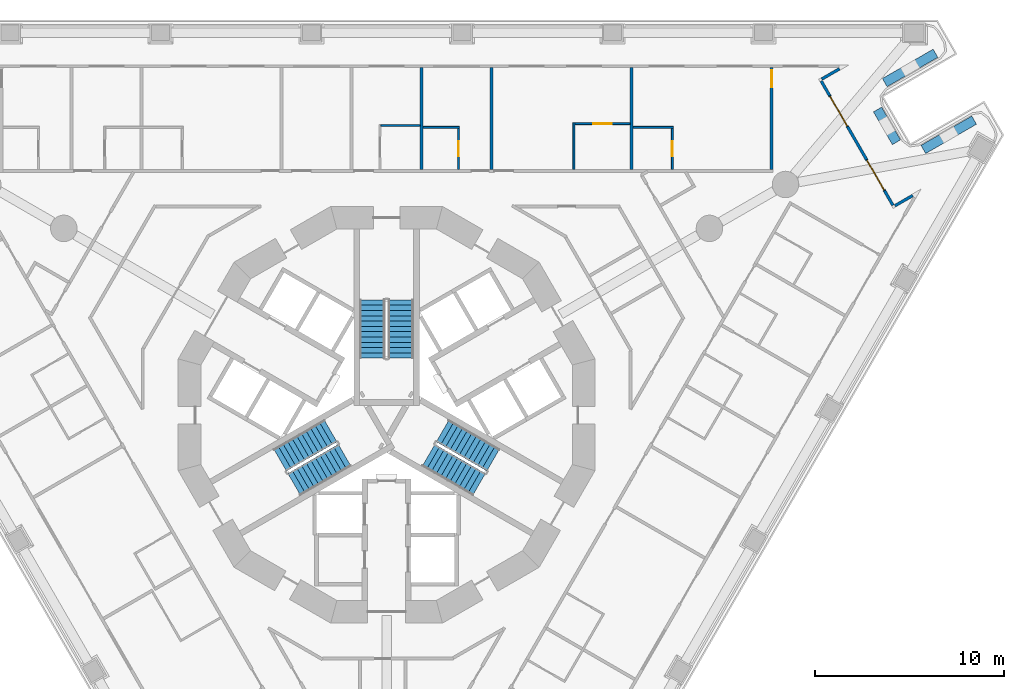
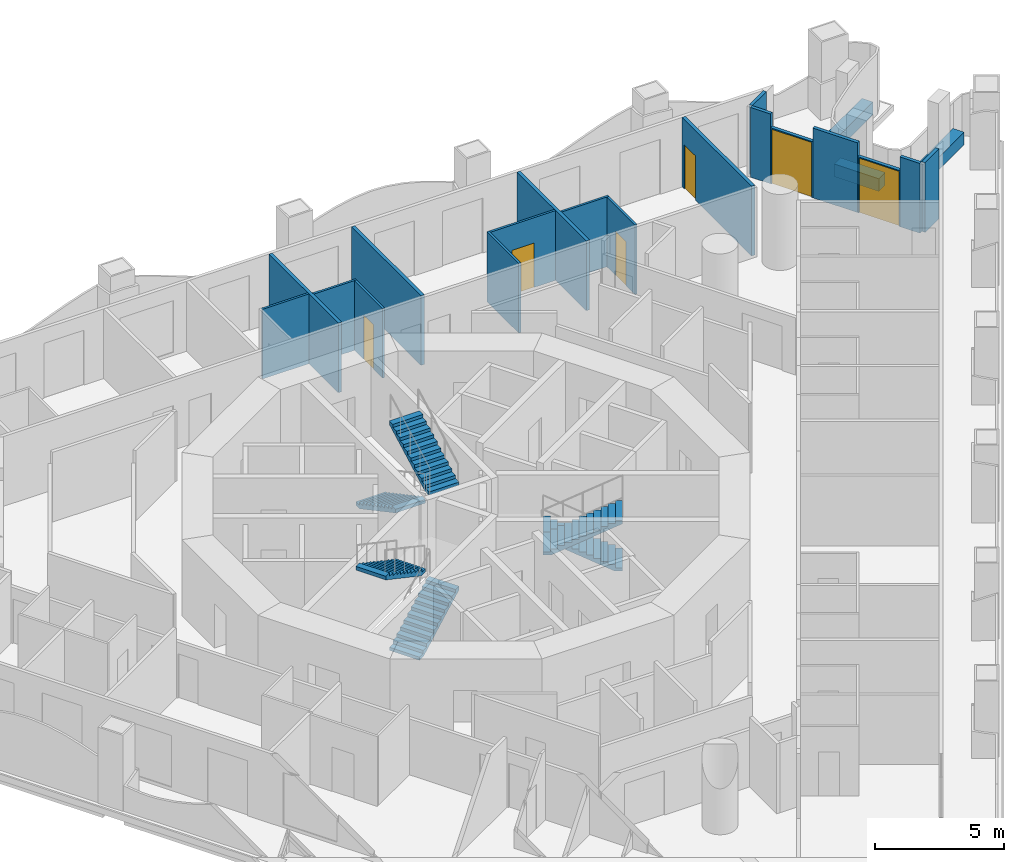
# One storey, part 10 of 19: 21 walls, 6 doors, 6 stair flights, 6 openings, 3 elements without a shape of their own.
"""IFC4 building model written with IfcOpenShell, lengths in metres."""

from ifc_helpers import new_model, si_unit, direction, frame, frame_2d, origin, place, context, subcontext, project, spatial, polyline, rectangle, outline, extrude, material, layer, layer_set, type_object, element, fill, aggregate, save


model = new_model("IFC4")

# Units and contexts
model_context = context("Model", 3, precision=1e-05, world=origin(), true_north=direction((0.0, 1.0)))
body_context = subcontext(model_context, "Body", "Model", "MODEL_VIEW")
ifc_project = project(units=[si_unit("LENGTHUNIT", "METRE"), si_unit("AREAUNIT", "SQUARE_METRE"), si_unit("VOLUMEUNIT", "CUBIC_METRE"), si_unit("PLANEANGLEUNIT", "RADIAN"), si_unit("MASSUNIT", "GRAM", prefix="KILO")], contexts=[model_context])

# Site, building, storey
site_placement = place(None, origin())
site = spatial("IfcSite", under=ifc_project, at=site_placement, CompositionType="ELEMENT")
building_placement = place(site_placement, origin())
building = spatial("IfcBuilding", under=site, at=building_placement, Name="Trine Commons Tower", CompositionType="ELEMENT")
storey_placement = place(building_placement, frame((0.0, 0.0, 31.5)))
storey = spatial("IfcBuildingStorey", under=building, at=storey_placement, Name="L06", CompositionType="ELEMENT", Elevation=31.5)

# Walls
ifc_material_1 = material(Name="Aluminium-framed insulated wall panel", Category="aluminium")
ifc_layer_1 = layer(ifc_material_1, 0.14990234375)
ifc_layer_set_1 = layer_set([ifc_layer_1], Name="Aluminium-framed insulated wall panel")
wall_type_1 = type_object("IfcWallType", Name="Glazed frame wall 150, EI 60", PredefinedType="SOLIDWALL", material=ifc_layer_set_1)
wall_1_placement = place(storey_placement, frame((104.060546875, 80.854248046875, 0.0), z_axis=(0.0, 0.0, 1.0), x_axis=(-0.86606770004, -0.49992673358, 0.0)))
element("IfcWall", 1, at=wall_1_placement, inside=storey, type_object=wall_type_1, Name="Glazed frame wall R5", PredefinedType="SOLIDWALL", context=body_context, shape_type="SweptSolid", body=[
    extrude(outline(polyline([(0.1494140625, 0.074951171875), (0.1494140625, -0.074951171875), (1.235107421875, -0.074951171875), (1.235107421875, 0.074951171875), (0.1494140625, 0.074951171875)])), origin(), (0.0, 0.0, 1.0), 3.300048828125),
])
wall_2_placement = place(storey_placement, frame((102.90869140625, 80.2294921875, 0.0), z_axis=(0.0, 0.0, 1.0), x_axis=(0.50002537861, -0.866010750942, 0.0)))
element("IfcWall", 2, at=wall_2_placement, inside=storey, type_object=wall_type_1, Name="Glazed frame wall P2.1", PredefinedType="SOLIDWALL", context=body_context, shape_type="SweptSolid", body=[
    extrude(outline(polyline([(0.110107421875, -0.074951171875), (1.0, -0.074951171875), (1.0, 0.074951171875), (0.110107421875, 0.074951171875), (0.110107421875, -0.074951171875)])), origin(), (0.0, 0.0, 1.0), 3.300048828125),
])

# Wall, opening, door
wall_3_placement = place(storey_placement, frame((103.40869140625, 79.363525390625, 0.0), z_axis=(0.0, 0.0, 1.0), x_axis=(0.499967155389, -0.866044365799, 0.0)))
wall_3 = element("IfcWall", 3, at=wall_3_placement, inside=storey, type_object=wall_type_1, Name="Glazed frame wall P2.2", PredefinedType="SOLIDWALL", context=body_context, shape_type="SweptSolid", body=[
    extrude(outline(polyline([(0.0, -0.074951171875), (1.89990234375, -0.074951171875), (1.89990234375, 0.074951171875), (0.0, 0.074951171875), (0.0, -0.074951171875)])), origin(), (0.0, 0.0, 1.0), 2.64990234375),
])
opening_1_placement = place(wall_3_placement, frame((0.050048828125, 0.0, 0.0)))
opening_1 = element("IfcOpeningElement", 4, at=opening_1_placement, cuts=wall_3, Name="Opening BD-1P2-01", PredefinedType="OPENING", context=body_context, shape_type="SweptSolid", body=[
    extrude(rectangle(XDim=1.800048828125, YDim=2.60009765625, at=frame_2d((0.89990234375, 1.300048828125))), frame((0.0, 0.0849609375, 0.0), z_axis=(0.0, -1.0, 0.0), x_axis=(1.0, 0.0, 0.0)), (0.0, 0.0, 1.0), 0.169921875),
])
ifc_material_2 = material(Name="Anodised aluminium frame with double glazing", Category="aluminium")
door_type_1 = type_object("IfcDoorType", Name="Sliding loggia door 1800x2600", OperationType="SLIDING_TO_LEFT", PredefinedType="DOOR", material=ifc_material_2)
door_1_placement = place(opening_1_placement, origin())
door_1 = element("IfcDoor", 5, at=door_1_placement, inside=storey, type_object=door_type_1, Name="Loggia door P2 1", OperationType="SLIDING_TO_LEFT", OverallHeight=2.60009765625, OverallWidth=1.800048828125, PredefinedType="DOOR", context=body_context, shape_type="SweptSolid", body=[
    extrude(rectangle(XDim=1.800048828125, YDim=2.60009765625, at=frame_2d((0.89990234375, 1.300048828125))), frame((0.0, 0.02490234375, 0.0), z_axis=(0.0, -1.0, 0.0), x_axis=(1.0, 0.0, 0.0)), (0.0, 0.0, 1.0), 0.050048828125),
])
fill(opening_1, door_1)

# Wall
wall_4_placement = place(storey_placement, frame((104.358642578125, 77.718017578125, 0.0), z_axis=(0.0, 0.0, 1.0), x_axis=(0.50002537861, -0.866010750942, 0.0)))
element("IfcWall", 6, at=wall_4_placement, inside=storey, type_object=wall_type_1, Name="Glazed frame wall P2.3", PredefinedType="SOLIDWALL", context=body_context, shape_type="SweptSolid", body=[
    extrude(outline(polyline([(0.0, -0.074951171875), (2.0, -0.074951171875), (2.0, 0.074951171875), (0.0, 0.074951171875), (0.0, -0.074951171875)])), origin(), (0.0, 0.0, 1.0), 3.300048828125),
])

# Wall, opening, door
wall_5_placement = place(storey_placement, frame((105.358642578125, 75.986083984375, 0.0), z_axis=(0.0, 0.0, 1.0), x_axis=(0.499967155389, -0.866044365799, 0.0)))
wall_5 = element("IfcWall", 7, at=wall_5_placement, inside=storey, type_object=wall_type_1, Name="Glazed frame wall P2.4", PredefinedType="SOLIDWALL", context=body_context, shape_type="SweptSolid", body=[
    extrude(outline(polyline([(0.0, -0.074951171875), (1.89990234375, -0.074951171875), (1.89990234375, 0.074951171875), (0.0, 0.074951171875), (0.0, -0.074951171875)])), origin(), (0.0, 0.0, 1.0), 2.64990234375),
])
opening_2_placement = place(wall_5_placement, frame((0.050048828125, 0.0, 0.0)))
opening_2 = element("IfcOpeningElement", 8, at=opening_2_placement, cuts=wall_5, Name="Opening BD-1P2-02", PredefinedType="OPENING", context=body_context, shape_type="SweptSolid", body=[
    extrude(rectangle(XDim=1.800048828125, YDim=2.60009765625, at=frame_2d((0.89990234375, 1.300048828125))), frame((0.0, 0.0849609375, 0.0), z_axis=(0.0, -1.0, 0.0), x_axis=(1.0, 0.0, 0.0)), (0.0, 0.0, 1.0), 0.169921875),
])
door_2_placement = place(opening_2_placement, origin())
door_2 = element("IfcDoor", 9, at=door_2_placement, inside=storey, type_object=door_type_1, Name="Loggia door P2 2", OperationType="SLIDING_TO_LEFT", OverallHeight=2.60009765625, OverallWidth=1.800048828125, PredefinedType="DOOR", context=body_context, shape_type="SweptSolid", body=[
    extrude(rectangle(XDim=1.800048828125, YDim=2.60009765625, at=frame_2d((0.89990234375, 1.300048828125))), frame((0.0, 0.02490234375, 0.0), z_axis=(0.0, -1.0, 0.0), x_axis=(1.0, 0.0, 0.0)), (0.0, 0.0, 1.0), 0.050048828125),
])
fill(opening_2, door_2)

# Walls
wall_6_placement = place(storey_placement, frame((106.30859375, 74.340576171875, 0.0), z_axis=(0.0, 0.0, 1.0), x_axis=(0.50002537861, -0.866010750942, 0.0)))
element("IfcWall", 10, at=wall_6_placement, inside=storey, type_object=wall_type_1, Name="Glazed frame wall P2.5", PredefinedType="SOLIDWALL", context=body_context, shape_type="SweptSolid", body=[
    extrude(outline(polyline([(0.889892578125, 0.074951171875), (0.0, 0.074951171875), (0.0, -0.074951171875), (0.889892578125, -0.074951171875), (0.889892578125, 0.074951171875)])), origin(), (0.0, 0.0, 1.0), 3.300048828125),
])
wall_7_placement = place(storey_placement, frame((106.7607421875, 73.4873046875, 0.0), z_axis=(0.0, 0.0, 1.0), x_axis=(0.865989100438, 0.500062873969, 0.0)))
element("IfcWall", 11, at=wall_7_placement, inside=storey, type_object=wall_type_1, Name="Glazed frame wall R7", PredefinedType="SOLIDWALL", context=body_context, shape_type="SweptSolid", body=[
    extrude(outline(polyline([(0.110107421875, 0.074951171875), (0.110107421875, -0.074951171875), (1.19580078125, -0.074951171875), (1.19580078125, 0.074951171875), (0.110107421875, 0.074951171875)])), origin(), (0.0, 0.0, 1.0), 3.300048828125),
])
ifc_material_3 = material(Name="Planter trough, precast concrete C40/50", Category="concrete")
ifc_layer_2 = layer(ifc_material_3, 0.5)
ifc_layer_set_2 = layer_set([ifc_layer_2], Name="Planter trough, precast concrete C40/50")
wall_type_2 = type_object("IfcWallType", Name="Planter trough 500x600", PredefinedType="PARAPET", material=ifc_layer_set_2)
wall_8_placement = place(storey_placement, frame((109.00439453125, 81.601318359375, 0.0), z_axis=(0.0, 0.0, 1.0), x_axis=(-0.86602952684, -0.49999285859, 0.0)))
element("IfcWall", 12, at=wall_8_placement, inside=storey, type_object=wall_type_2, Name="Planter 4", PredefinedType="PARAPET", context=body_context, shape_type="SweptSolid", body=[
    extrude(rectangle(XDim=3.10009765625, YDim=0.5, at=frame_2d((1.550048828125, 0.0))), origin(), (0.0, 0.0, 1.0), 0.60009765625),
])
wall_9_placement = place(storey_placement, frame((105.939208984375, 78.630615234375, 0.0), z_axis=(0.0, 0.0, 1.0), x_axis=(0.50002537861, -0.866010750942, 0.0)))
element("IfcWall", 13, at=wall_9_placement, inside=storey, type_object=wall_type_2, Name="Planter 5", PredefinedType="PARAPET", context=body_context, shape_type="SweptSolid", body=[
    extrude(rectangle(XDim=2.0, YDim=0.5, at=frame_2d((1.0, 0.0))), origin(), (0.0, 0.0, 1.0), 0.60009765625),
])
wall_10_placement = place(storey_placement, frame((108.359619140625, 76.51806640625, 0.0), z_axis=(0.0, 0.0, 1.0), x_axis=(0.86602952684, 0.49999285859, 0.0)))
element("IfcWall", 14, at=wall_10_placement, inside=storey, type_object=wall_type_2, Name="Planter 6", PredefinedType="PARAPET", context=body_context, shape_type="SweptSolid", body=[
    extrude(rectangle(XDim=3.10009765625, YDim=0.5, at=frame_2d((1.550048828125, 0.0))), origin(), (0.0, 0.0, 1.0), 0.60009765625),
])
ifc_material_4 = material(Name="Gypsum plasterboard on steel stud", Category="steel")
ifc_layer_3 = layer(ifc_material_4, 0.14990234375)
ifc_layer_set_3 = layer_set([ifc_layer_3], Name="Gypsum plasterboard on steel stud")
wall_type_3 = type_object("IfcWallType", Name="Unit and corridor wall 150 mm, EI 60", PredefinedType="PARTITIONING", material=ifc_layer_set_3)
for number, where, z_axis, x_axis, name in (
    (15, (81.84912109375, 75.4619140625, 0.0), (0.0, 0.0, 1.0), (0.0, 1.0, 0.0), "Partition 073"),
    (16, (85.548095703125, 75.4619140625, 0.0), (0.0, 0.0, 1.0), (0.0, 1.0, 0.0), "Partition 086"),
    (17, (92.946044921875, 75.4619140625, 0.0), (0.0, 0.0, 1.0), (0.0, 1.0, 0.0), "Partition 110"),
):
    element("IfcWall", number, at=place(storey_placement, frame(where, z_axis=z_axis, x_axis=x_axis)), inside=storey, type_object=wall_type_3, Name=name, PredefinedType="PARTITIONING", context=body_context, shape_type="SweptSolid", body=[
        extrude(rectangle(XDim=5.383056640625, YDim=0.14990234375, at=frame_2d((2.69140625, 0.0))), origin(), (0.0, 0.0, 1.0), 3.300048828125),
    ])

# Wall, opening, door
wall_11_placement = place(storey_placement, frame((100.343994140625, 75.4619140625, 0.0), z_axis=(0.0, 0.0, 1.0), x_axis=(0.0, 1.0, 0.0)))
wall_11 = element("IfcWall", 18, at=wall_11_placement, inside=storey, type_object=wall_type_3, Name="Partition 133", PredefinedType="PARTITIONING", context=body_context, shape_type="SweptSolid", body=[
    extrude(rectangle(XDim=5.383056640625, YDim=0.14990234375, at=frame_2d((2.69140625, 0.0))), origin(), (0.0, 0.0, 1.0), 3.300048828125),
])
opening_3_placement = place(wall_11_placement, frame((4.3330078125, 0.0, 0.0)))
opening_3 = element("IfcOpeningElement", 19, at=opening_3_placement, cuts=wall_11, Name="Opening D-1A14", PredefinedType="OPENING", context=body_context, shape_type="SweptSolid", body=[
    extrude(rectangle(XDim=0.89990234375, YDim=2.10009765625, at=frame_2d((0.449951171875, 1.050048828125))), frame((0.0, 0.0849609375, 0.0), z_axis=(0.0, -1.0, 0.0), x_axis=(1.0, 0.0, 0.0)), (0.0, 0.0, 1.0), 0.169921875),
])
ifc_material_5 = material(Name="Timber fire door set", Category="wood")
door_type_2 = type_object("IfcDoorType", Name="Bedroom door 900 x 2100, FD30S", OperationType="NOTDEFINED", PredefinedType="DOOR", material=ifc_material_5)
door_3_placement = place(opening_3_placement, origin())
door_3 = element("IfcDoor", 20, at=door_3_placement, inside=storey, type_object=door_type_2, Name="Door D-1A14", OperationType="SINGLE_SWING_RIGHT", OverallHeight=2.10009765625, OverallWidth=0.89990234375, PredefinedType="DOOR", context=body_context, shape_type="SweptSolid", body=[
    extrude(rectangle(XDim=0.89990234375, YDim=2.10009765625, at=frame_2d((0.449951171875, 1.050048828125))), frame((0.0, 0.02490234375, 0.0), z_axis=(0.0, -1.0, 0.0), x_axis=(1.0, 0.0, 0.0)), (0.0, 0.0, 1.0), 0.050048828125),
])
fill(opening_3, door_3)

# Walls
ifc_layer_4 = layer(ifc_material_4, 0.10009765625)
ifc_layer_set_4 = layer_set([ifc_layer_4], Name="Gypsum plasterboard on steel stud")
wall_type_4 = type_object("IfcWallType", Name="Unit partition 100 mm, no rating", PredefinedType="PARTITIONING", material=ifc_layer_set_4)
wall_12_placement = place(storey_placement, frame((79.698974609375, 77.787109375, 0.0), z_axis=(0.0, 0.0, 1.0), x_axis=(1.0, 0.0, 0.0)))
element("IfcWall", 21, at=wall_12_placement, inside=storey, type_object=wall_type_4, Name="Partition 068", PredefinedType="PARTITIONING", context=body_context, shape_type="SweptSolid", body=[
    extrude(rectangle(XDim=2.074951171875, YDim=0.10009765625, at=frame_2d((1.03759765625, 0.0))), origin(), (0.0, 0.0, 1.0), 3.300048828125),
])
wall_13_placement = place(storey_placement, frame((81.924072265625, 77.68701171875, 0.0), z_axis=(0.0, 0.0, 1.0), x_axis=(1.0, 0.0, 0.0)))
element("IfcWall", 22, at=wall_13_placement, inside=storey, type_object=wall_type_4, Name="Partition 074", PredefinedType="PARTITIONING", context=body_context, shape_type="SweptSolid", body=[
    extrude(rectangle(XDim=1.925048828125, YDim=0.10009765625, at=frame_2d((0.96240234375, 0.0))), origin(), (0.0, 0.0, 1.0), 3.300048828125),
])

# Wall, opening, door
wall_14_placement = place(storey_placement, frame((83.799072265625, 75.4619140625, 0.0), z_axis=(0.0, 0.0, 1.0), x_axis=(0.0, 1.0, 0.0)))
wall_14 = element("IfcWall", 23, at=wall_14_placement, inside=storey, type_object=wall_type_4, Name="Partition 082", PredefinedType="PARTITIONING", context=body_context, shape_type="SweptSolid", body=[
    extrude(rectangle(XDim=2.175048828125, YDim=0.10009765625, at=frame_2d((1.08740234375, 0.0))), origin(), (0.0, 0.0, 1.0), 3.300048828125),
])
opening_4_placement = place(wall_14_placement, frame((0.6875, 0.0, 0.0)))
opening_4 = element("IfcOpeningElement", 24, at=opening_4_placement, cuts=wall_14, Name="Opening D-1A45", PredefinedType="OPENING", context=body_context, shape_type="SweptSolid", body=[
    extrude(rectangle(XDim=0.800048828125, YDim=2.10009765625, at=frame_2d((0.39990234375, 1.050048828125))), frame((0.0, 0.06005859375, 0.0), z_axis=(0.0, -1.0, 0.0), x_axis=(1.0, 0.0, 0.0)), (0.0, 0.0, 1.0), 0.1201171875),
])
ifc_material_6 = material(Name="Painted timber", Category="wood")
door_type_3 = type_object("IfcDoorType", Name="Internal door 800 x 2100, NOT RATED", OperationType="NOTDEFINED", PredefinedType="DOOR", material=ifc_material_6)
door_4_placement = place(opening_4_placement, frame((0.800048828125, 0.0, 0.0), z_axis=(0.0, 0.0, 1.0), x_axis=(-1.0, 0.0, 0.0)))
door_4 = element("IfcDoor", 25, at=door_4_placement, inside=storey, type_object=door_type_3, Name="Door D-1A45", OperationType="SINGLE_SWING_RIGHT", OverallHeight=2.10009765625, OverallWidth=0.800048828125, PredefinedType="DOOR", context=body_context, shape_type="SweptSolid", body=[
    extrude(rectangle(XDim=0.800048828125, YDim=2.10009765625, at=frame_2d((0.39990234375, 1.050048828125))), frame((0.0, 0.02490234375, 0.0), z_axis=(0.0, -1.0, 0.0), x_axis=(1.0, 0.0, 0.0)), (0.0, 0.0, 1.0), 0.050048828125),
])
fill(opening_4, door_4)

# Wall
wall_15_placement = place(storey_placement, frame((89.89599609375, 75.4619140625, 0.0), z_axis=(0.0, 0.0, 1.0), x_axis=(0.0, 1.0, 0.0)))
element("IfcWall", 26, at=wall_15_placement, inside=storey, type_object=wall_type_4, Name="Partition 101", PredefinedType="PARTITIONING", context=body_context, shape_type="SweptSolid", body=[
    extrude(rectangle(XDim=2.47509765625, YDim=0.10009765625, at=frame_2d((1.237548828125, 0.0))), origin(), (0.0, 0.0, 1.0), 3.300048828125),
])

# Wall, opening, door
wall_16_placement = place(storey_placement, frame((89.946044921875, 77.886962890625, 0.0), z_axis=(0.0, 0.0, 1.0), x_axis=(1.0, 0.0, 0.0)))
wall_16 = element("IfcWall", 27, at=wall_16_placement, inside=storey, type_object=wall_type_4, Name="Partition 102", PredefinedType="PARTITIONING", context=body_context, shape_type="SweptSolid", body=[
    extrude(rectangle(XDim=2.925048828125, YDim=0.10009765625, at=frame_2d((1.46240234375, 0.0))), origin(), (0.0, 0.0, 1.0), 3.300048828125),
])
opening_5_placement = place(wall_16_placement, frame((0.96240234375, 0.0, 0.0)))
opening_5 = element("IfcOpeningElement", 28, at=opening_5_placement, cuts=wall_16, Name="Opening D-1A46", PredefinedType="OPENING", context=body_context, shape_type="SweptSolid", body=[
    extrude(rectangle(XDim=1.0, YDim=2.10009765625, at=frame_2d((0.5, 1.050048828125))), frame((0.0, 0.06005859375, 0.0), z_axis=(0.0, -1.0, 0.0), x_axis=(1.0, 0.0, 0.0)), (0.0, 0.0, 1.0), 0.1201171875),
])
door_type_4 = type_object("IfcDoorType", Name="Internal door 1000 x 2100, NOT RATED", OperationType="NOTDEFINED", PredefinedType="DOOR", material=ifc_material_6)
door_5_placement = place(opening_5_placement, origin())
door_5 = element("IfcDoor", 29, at=door_5_placement, inside=storey, type_object=door_type_4, Name="Door D-1A46", OperationType="SINGLE_SWING_RIGHT", OverallHeight=2.10009765625, OverallWidth=1.0, PredefinedType="DOOR", context=body_context, shape_type="SweptSolid", body=[
    extrude(rectangle(XDim=1.0, YDim=2.10009765625, at=frame_2d((0.5, 1.050048828125))), frame((0.0, 0.02490234375, 0.0), z_axis=(0.0, -1.0, 0.0), x_axis=(1.0, 0.0, 0.0)), (0.0, 0.0, 1.0), 0.050048828125),
])
fill(opening_5, door_5)

# Wall
wall_17_placement = place(storey_placement, frame((93.02099609375, 77.68701171875, 0.0), z_axis=(0.0, 0.0, 1.0), x_axis=(1.0, 0.0, 0.0)))
element("IfcWall", 30, at=wall_17_placement, inside=storey, type_object=wall_type_4, Name="Partition 111", PredefinedType="PARTITIONING", context=body_context, shape_type="SweptSolid", body=[
    extrude(rectangle(XDim=2.125, YDim=0.10009765625, at=frame_2d((1.0625, 0.0))), origin(), (0.0, 0.0, 1.0), 3.300048828125),
])

# Wall, opening, door
wall_18_placement = place(storey_placement, frame((95.095947265625, 75.4619140625, 0.0), z_axis=(0.0, 0.0, 1.0), x_axis=(0.0, 1.0, 0.0)))
wall_18 = element("IfcWall", 31, at=wall_18_placement, inside=storey, type_object=wall_type_4, Name="Partition 118", PredefinedType="PARTITIONING", context=body_context, shape_type="SweptSolid", body=[
    extrude(rectangle(XDim=2.175048828125, YDim=0.10009765625, at=frame_2d((1.08740234375, 0.0))), origin(), (0.0, 0.0, 1.0), 3.300048828125),
])
opening_6_placement = place(wall_18_placement, frame((0.6875, 0.0, 0.0)))
opening_6 = element("IfcOpeningElement", 32, at=opening_6_placement, cuts=wall_18, Name="Opening D-1A47", PredefinedType="OPENING", context=body_context, shape_type="SweptSolid", body=[
    extrude(rectangle(XDim=0.800048828125, YDim=2.10009765625, at=frame_2d((0.39990234375, 1.050048828125))), frame((0.0, 0.06005859375, 0.0), z_axis=(0.0, -1.0, 0.0), x_axis=(1.0, 0.0, 0.0)), (0.0, 0.0, 1.0), 0.1201171875),
])
door_6_placement = place(opening_6_placement, frame((0.800048828125, 0.0, 0.0), z_axis=(0.0, 0.0, 1.0), x_axis=(-1.0, 0.0, 0.0)))
door_6 = element("IfcDoor", 33, at=door_6_placement, inside=storey, type_object=door_type_3, Name="Door D-1A47", OperationType="SINGLE_SWING_RIGHT", OverallHeight=2.10009765625, OverallWidth=0.800048828125, PredefinedType="DOOR", context=body_context, shape_type="SweptSolid", body=[
    extrude(rectangle(XDim=0.800048828125, YDim=2.10009765625, at=frame_2d((0.39990234375, 1.050048828125))), frame((0.0, 0.02490234375, 0.0), z_axis=(0.0, -1.0, 0.0), x_axis=(1.0, 0.0, 0.0)), (0.0, 0.0, 1.0), 0.050048828125),
])
fill(opening_6, door_6)

# Stair, stair flights
ifc_material_7 = material(Name="Concrete C50/60", Category="concrete")
stair_type = type_object("IfcStairType", Name="Exit stair, dog-leg, 24 risers of 150 mm", PredefinedType="HALF_TURN_STAIR", material=ifc_material_7)
stair_1_placement = place(storey_placement, origin())
stair_1 = element("IfcStair", 34, at=stair_1_placement, inside=storey, type_object=stair_type, Name="L06 Exit stair ST1A", PredefinedType="HALF_TURN_STAIR")
stair_flight_type = type_object("IfcStairFlightType", Name="Stair flight, 1350 wide, 12 risers of 150 mm", PredefinedType="STRAIGHT", material=ifc_material_7)
stair_flight_1_placement = place(storey_placement, frame((79.25, 68.570556640625, 0.0), z_axis=(0.0, 0.0, 1.0), x_axis=(0.0, -1.0, 0.0)))
stair_flight_1 = element("IfcStairFlight", 35, at=stair_flight_1_placement, type_object=stair_flight_type, Name="ST1A flight 1", NumberOfRisers=12, NumberOfTreads=11, PredefinedType="STRAIGHT", RiserHeight=0.15, TreadLength=0.28, context=body_context, shape_type="SweptSolid", body=[
    extrude(outline(polyline([(0.0, 0.0), (0.0, 0.14990234375), (0.280029296875, 0.14990234375), (0.280029296875, 0.300048828125), (0.56005859375, 0.300048828125), (0.56005859375, 0.449951171875), (0.840087890625, 0.449951171875), (0.840087890625, 0.60009765625), (1.1201171875, 0.60009765625), (1.1201171875, 0.75), (1.39990234375, 0.75), (1.39990234375, 0.89990234375), (1.679931640625, 0.89990234375), (1.679931640625, 1.050048828125), (1.9599609375, 1.050048828125), (1.9599609375, 1.199951171875), (2.239990234375, 1.199951171875), (2.239990234375, 1.35009765625), (2.52001953125, 1.35009765625), (2.52001953125, 1.5), (2.800048828125, 1.5), (2.800048828125, 1.64990234375), (3.080078125, 1.64990234375), (3.080078125, 1.800048828125), (3.080078125, 1.47998046875), (0.3173828125, 0.0), (0.0, 0.0)])), frame((0.0, 0.675048828125, 0.0), z_axis=(0.0, -1.0, 0.0), x_axis=(1.0, 0.0, 0.0)), (0.0, 0.0, 1.0), 1.35009765625),
])
stair_flight_2_placement = place(storey_placement, frame((80.75, 65.490478515625, 1.800048828125), z_axis=(0.0, 0.0, 1.0), x_axis=(0.0, 1.0, 0.0)))
stair_flight_2 = element("IfcStairFlight", 36, at=stair_flight_2_placement, type_object=stair_flight_type, Name="ST1A flight 2", NumberOfRisers=12, NumberOfTreads=11, PredefinedType="STRAIGHT", RiserHeight=0.15, TreadLength=0.28, context=body_context, shape_type="SweptSolid", body=[
    extrude(outline(polyline([(0.0, 0.0), (0.0, 0.14990234375), (0.280029296875, 0.14990234375), (0.280029296875, 0.300048828125), (0.56005859375, 0.300048828125), (0.56005859375, 0.449951171875), (0.840087890625, 0.449951171875), (0.840087890625, 0.60009765625), (1.1201171875, 0.60009765625), (1.1201171875, 0.75), (1.39990234375, 0.75), (1.39990234375, 0.89990234375), (1.679931640625, 0.89990234375), (1.679931640625, 1.050048828125), (1.9599609375, 1.050048828125), (1.9599609375, 1.199951171875), (2.239990234375, 1.199951171875), (2.239990234375, 1.35009765625), (2.52001953125, 1.35009765625), (2.52001953125, 1.5), (2.800048828125, 1.5), (2.800048828125, 1.64990234375), (3.080078125, 1.64990234375), (3.080078125, 1.800048828125), (3.080078125, 1.47998046875), (0.3173828125, 0.0), (0.0, 0.0)])), frame((0.0, 0.675048828125, 0.0), z_axis=(0.0, -1.0, 0.0), x_axis=(1.0, 0.0, 0.0)), (0.0, 0.0, 1.0), 1.35009765625),
])
aggregate(stair_1, [stair_flight_1, stair_flight_2])

stair_2_placement = place(storey_placement, origin())
stair_2 = element("IfcStair", 37, at=stair_2_placement, inside=storey, type_object=stair_type, Name="L06 Exit stair ST2A", PredefinedType="HALF_TURN_STAIR")
stair_flight_3_placement = place(storey_placement, frame((75.11767578125, 58.815185546875, 0.0), z_axis=(0.0, 0.0, 1.0), x_axis=(0.866025403784, 0.5, 0.0)))
stair_flight_3 = element("IfcStairFlight", 38, at=stair_flight_3_placement, type_object=stair_flight_type, Name="ST2A flight 1", NumberOfRisers=12, NumberOfTreads=11, PredefinedType="STRAIGHT", RiserHeight=0.15, TreadLength=0.28, context=body_context, shape_type="SweptSolid", body=[
    extrude(outline(polyline([(0.0, 0.0), (0.0, 0.14990234375), (0.280029296875, 0.14990234375), (0.280029296875, 0.300048828125), (0.56005859375, 0.300048828125), (0.56005859375, 0.449951171875), (0.840087890625, 0.449951171875), (0.840087890625, 0.60009765625), (1.1201171875, 0.60009765625), (1.1201171875, 0.75), (1.39990234375, 0.75), (1.39990234375, 0.89990234375), (1.679931640625, 0.89990234375), (1.679931640625, 1.050048828125), (1.9599609375, 1.050048828125), (1.9599609375, 1.199951171875), (2.239990234375, 1.199951171875), (2.239990234375, 1.35009765625), (2.52001953125, 1.35009765625), (2.52001953125, 1.5), (2.800048828125, 1.5), (2.800048828125, 1.64990234375), (3.080078125, 1.64990234375), (3.080078125, 1.800048828125), (3.080078125, 1.47998046875), (0.3173828125, 0.0), (0.0, 0.0)])), frame((0.0, 0.675048828125, 0.0), z_axis=(0.0, -1.0, 0.0), x_axis=(1.0, 0.0, 0.0)), (0.0, 0.0, 1.0), 1.35009765625),
])
stair_flight_4_placement = place(storey_placement, frame((77.03515625, 61.654296875, 1.800048828125), z_axis=(0.0, 0.0, 1.0), x_axis=(-0.866025403784, -0.5, 0.0)))
stair_flight_4 = element("IfcStairFlight", 39, at=stair_flight_4_placement, type_object=stair_flight_type, Name="ST2A flight 2", NumberOfRisers=12, NumberOfTreads=11, PredefinedType="STRAIGHT", RiserHeight=0.15, TreadLength=0.28, context=body_context, shape_type="SweptSolid", body=[
    extrude(outline(polyline([(0.0, 0.0), (0.0, 0.14990234375), (0.280029296875, 0.14990234375), (0.280029296875, 0.300048828125), (0.56005859375, 0.300048828125), (0.56005859375, 0.449951171875), (0.840087890625, 0.449951171875), (0.840087890625, 0.60009765625), (1.1201171875, 0.60009765625), (1.1201171875, 0.75), (1.39990234375, 0.75), (1.39990234375, 0.89990234375), (1.679931640625, 0.89990234375), (1.679931640625, 1.050048828125), (1.9599609375, 1.050048828125), (1.9599609375, 1.199951171875), (2.239990234375, 1.199951171875), (2.239990234375, 1.35009765625), (2.52001953125, 1.35009765625), (2.52001953125, 1.5), (2.800048828125, 1.5), (2.800048828125, 1.64990234375), (3.080078125, 1.64990234375), (3.080078125, 1.800048828125), (3.080078125, 1.47998046875), (0.3173828125, 0.0), (0.0, 0.0)])), frame((0.0, 0.675048828125, 0.0), z_axis=(0.0, -1.0, 0.0), x_axis=(1.0, 0.0, 0.0)), (0.0, 0.0, 1.0), 1.35009765625),
])
aggregate(stair_2, [stair_flight_3, stair_flight_4])

stair_3_placement = place(storey_placement, origin())
stair_3 = element("IfcStair", 40, at=stair_3_placement, inside=storey, type_object=stair_type, Name="L06 Exit stair ST3A", PredefinedType="HALF_TURN_STAIR")
stair_flight_5_placement = place(storey_placement, frame((85.63232421875, 60.1142578125, 0.0), z_axis=(0.0, 0.0, 1.0), x_axis=(-0.866025403784, 0.5, 0.0)))
stair_flight_5 = element("IfcStairFlight", 41, at=stair_flight_5_placement, type_object=stair_flight_type, Name="ST3A flight 1", NumberOfRisers=12, NumberOfTreads=11, PredefinedType="STRAIGHT", RiserHeight=0.15, TreadLength=0.28, context=body_context, shape_type="SweptSolid", body=[
    extrude(outline(polyline([(0.0, 0.0), (0.0, 0.14990234375), (0.280029296875, 0.14990234375), (0.280029296875, 0.300048828125), (0.56005859375, 0.300048828125), (0.56005859375, 0.449951171875), (0.840087890625, 0.449951171875), (0.840087890625, 0.60009765625), (1.1201171875, 0.60009765625), (1.1201171875, 0.75), (1.39990234375, 0.75), (1.39990234375, 0.89990234375), (1.679931640625, 0.89990234375), (1.679931640625, 1.050048828125), (1.9599609375, 1.050048828125), (1.9599609375, 1.199951171875), (2.239990234375, 1.199951171875), (2.239990234375, 1.35009765625), (2.52001953125, 1.35009765625), (2.52001953125, 1.5), (2.800048828125, 1.5), (2.800048828125, 1.64990234375), (3.080078125, 1.64990234375), (3.080078125, 1.800048828125), (3.080078125, 1.47998046875), (0.3173828125, 0.0), (0.0, 0.0)])), frame((0.0, 0.675048828125, 0.0), z_axis=(0.0, -1.0, 0.0), x_axis=(1.0, 0.0, 0.0)), (0.0, 0.0, 1.0), 1.35009765625),
])
stair_flight_6_placement = place(storey_placement, frame((82.21484375, 60.355224609375, 1.800048828125), z_axis=(0.0, 0.0, 1.0), x_axis=(0.866025403784, -0.5, 0.0)))
stair_flight_6 = element("IfcStairFlight", 42, at=stair_flight_6_placement, type_object=stair_flight_type, Name="ST3A flight 2", NumberOfRisers=12, NumberOfTreads=11, PredefinedType="STRAIGHT", RiserHeight=0.15, TreadLength=0.28, context=body_context, shape_type="SweptSolid", body=[
    extrude(outline(polyline([(0.0, 0.0), (0.0, 0.14990234375), (0.280029296875, 0.14990234375), (0.280029296875, 0.300048828125), (0.56005859375, 0.300048828125), (0.56005859375, 0.449951171875), (0.840087890625, 0.449951171875), (0.840087890625, 0.60009765625), (1.1201171875, 0.60009765625), (1.1201171875, 0.75), (1.39990234375, 0.75), (1.39990234375, 0.89990234375), (1.679931640625, 0.89990234375), (1.679931640625, 1.050048828125), (1.9599609375, 1.050048828125), (1.9599609375, 1.199951171875), (2.239990234375, 1.199951171875), (2.239990234375, 1.35009765625), (2.52001953125, 1.35009765625), (2.52001953125, 1.5), (2.800048828125, 1.5), (2.800048828125, 1.64990234375), (3.080078125, 1.64990234375), (3.080078125, 1.800048828125), (3.080078125, 1.47998046875), (0.3173828125, 0.0), (0.0, 0.0)])), frame((0.0, 0.675048828125, 0.0), z_axis=(0.0, -1.0, 0.0), x_axis=(1.0, 0.0, 0.0)), (0.0, 0.0, 1.0), 1.35009765625),
])
aggregate(stair_3, [stair_flight_5, stair_flight_6])

save(model, "model.ifc")
